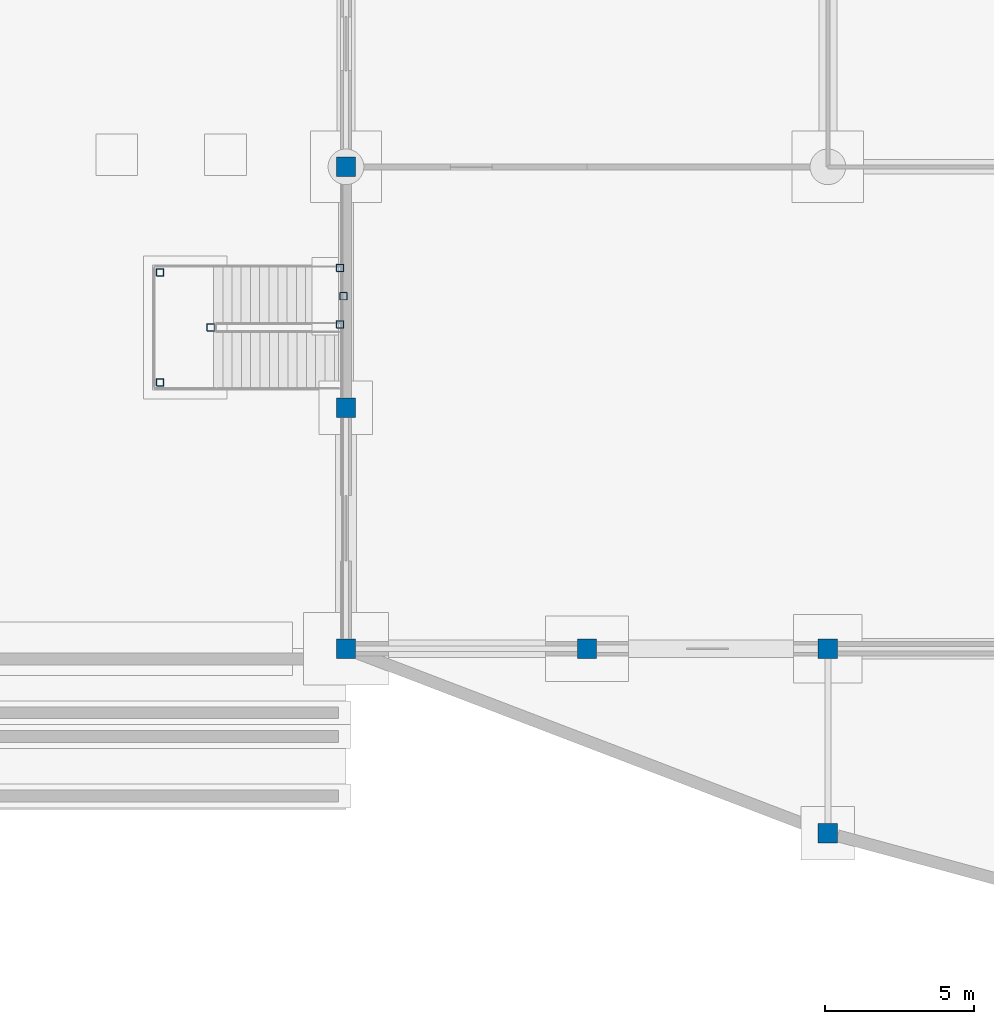
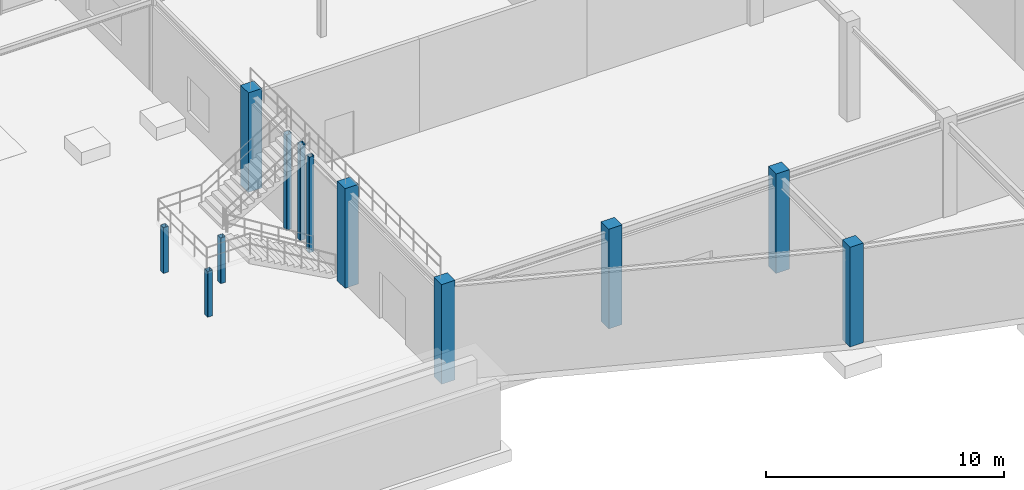
# One storey, part 12 of 67: 12 columns.
"""IFC4 building model written with IfcOpenShell, lengths in metres."""

from ifc_helpers import new_model, si_unit, direction, frame, origin, origin_2d, place, context, subcontext, project, spatial, rectangle, hollow_rectangle, extrude, material, material_profile, profile_set, type_object, element, save


model = new_model("IFC4")

# Units and contexts
model_context = context("Model", 3, precision=1e-05, world=origin(), true_north=direction((0.0, 1.0)))
body_context = subcontext(model_context, "Body", "Model", "MODEL_VIEW")
ifc_project = project(units=[si_unit("LENGTHUNIT", "METRE"), si_unit("AREAUNIT", "SQUARE_METRE"), si_unit("VOLUMEUNIT", "CUBIC_METRE"), si_unit("PLANEANGLEUNIT", "RADIAN"), si_unit("MASSUNIT", "GRAM", prefix="KILO")], contexts=[model_context])

# Site, building, storey
site_placement = place(None, origin())
site = spatial("IfcSite", under=ifc_project, at=site_placement, CompositionType="ELEMENT")
building_placement = place(site_placement, origin())
building = spatial("IfcBuilding", under=site, at=building_placement, Name="Vaudrelin Polytechnic", CompositionType="ELEMENT")
storey_placement = place(building_placement, frame((0.0, 0.0, -5.10009765625)))
storey = spatial("IfcBuildingStorey", under=building, at=storey_placement, Name="B1", CompositionType="ELEMENT", Elevation=-5.10009765625)

# Columns
ifc_material_1 = material(Name="Steel CSA G40.21 350W", Category="steel")
ifc_material_profile_1 = material_profile(ifc_material_1, hollow_rectangle(XDim=0.25390625, YDim=0.25390625, WallThickness=0.0126953125, InnerFilletRadius=0.0126953125, OuterFilletRadius=0.025390625, at=origin_2d()), Name="HSS254x254x12.7")
ifc_profile_set_1 = profile_set([ifc_material_profile_1], Name="Steel CSA G40.21 350W")
column_type_1 = type_object("IfcColumnType", Name="COL-C-HSS254", PredefinedType="COLUMN", material=ifc_profile_set_1)
for number, where, z_axis, x_axis, name in (
    (1, (34.25, 8.949951171875, 0.0), (0.0, 0.0, 1.0), (1.0, 0.0, 0.0), "Forecourt feature stair landing post 10"),
    (2, (35.949951171875, 10.800048828125, 0.0), (0.0, 0.0, 1.0), (1.0, 0.0, 0.0), "Forecourt feature stair landing post 11"),
    (3, (34.25, 12.64990234375, 0.0), (0.0, 0.0, 1.0), (1.0, 0.0, 0.0), "Forecourt feature stair landing post 12"),
):
    element("IfcColumn", number, at=place(storey_placement, frame(where, z_axis=z_axis, x_axis=x_axis)), inside=storey, type_object=column_type_1, Name=name, PredefinedType="COLUMN", context=body_context, shape_type="SweptSolid", body=[
        extrude(hollow_rectangle(XDim=0.25390625, YDim=0.25390625, WallThickness=0.0126953125, InnerFilletRadius=0.0126953125, OuterFilletRadius=0.025390625, at=origin_2d()), origin(), (0.0, 0.0, 1.0), 2.340087890625),
    ])
for number, where, z_axis, x_axis, name in (
    (4, (40.300048828125, 10.89990234375, 0.0), (0.0, 0.0, 1.0), (1.0, 0.0, 0.0), "Forecourt stair arrival post 1"),
    (5, (40.419921875, 11.85009765625, 0.0), (0.0, 0.0, 1.0), (1.0, 0.0, 0.0), "Forecourt stair arrival post 2"),
    (6, (40.300048828125, 12.800048828125, 0.0), (0.0, 0.0, 1.0), (1.0, 0.0, 0.0), "Forecourt stair arrival post 3"),
):
    element("IfcColumn", number, at=place(storey_placement, frame(where, z_axis=z_axis, x_axis=x_axis)), inside=storey, type_object=column_type_1, Name=name, PredefinedType="COLUMN", context=body_context, shape_type="SweptSolid", body=[
        extrude(hollow_rectangle(XDim=0.25390625, YDim=0.25390625, WallThickness=0.0126953125, InnerFilletRadius=0.0126953125, OuterFilletRadius=0.025390625, at=origin_2d()), origin(), (0.0, 0.0, 1.0), 4.89013671875),
    ])
ifc_material_2 = material(Name="Concrete 40 MPa", Category="concrete")
ifc_material_profile_2 = material_profile(ifc_material_2, rectangle(XDim=0.64990234375, YDim=0.64990234375, at=origin_2d()), Name="RC650x650")
ifc_profile_set_2 = profile_set([ifc_material_profile_2], Name="Concrete 40 MPa")
column_type_2 = type_object("IfcColumnType", Name="COL-C-RC650", PredefinedType="COLUMN", material=ifc_profile_set_2)
for number, where, z_axis, x_axis, name in (
    (7, (40.5, 0.0, 0.0), (0.0, 0.0, 1.0), (1.0, 0.0, 0.0), "Column B1 6-1"),
    (8, (40.5, 8.10009765625, 0.0), (0.0, 0.0, 1.0), (1.0, 0.0, 0.0), "Column B1 6-2"),
    (9, (40.5, 16.199951171875, 0.0), (0.0, 0.0, 1.0), (1.0, 0.0, 0.0), "Column B1 6-3"),
    (10, (48.60009765625, 0.0, 0.0), (0.0, 0.0, 1.0), (1.0, 0.0, 0.0), "Column B1 7-1"),
    (11, (56.699951171875, 0.0, 0.0), (0.0, 0.0, 1.0), (1.0, 0.0, 0.0), "Column B1 8-1"),
    (12, (56.699951171875, -6.199951171875, 0.0), (0.0, 0.0, 1.0), (1.0, 0.0, 0.0), "Deconstructivist column B1 V2P_7"),
):
    element("IfcColumn", number, at=place(storey_placement, frame(where, z_axis=z_axis, x_axis=x_axis)), inside=storey, type_object=column_type_2, Name=name, PredefinedType="COLUMN", context=body_context, shape_type="SweptSolid", body=[
        extrude(rectangle(XDim=0.64990234375, YDim=0.64990234375, at=origin_2d()), origin(), (0.0, 0.0, 1.0), 5.10009765625),
    ])

save(model, "model.ifc")
